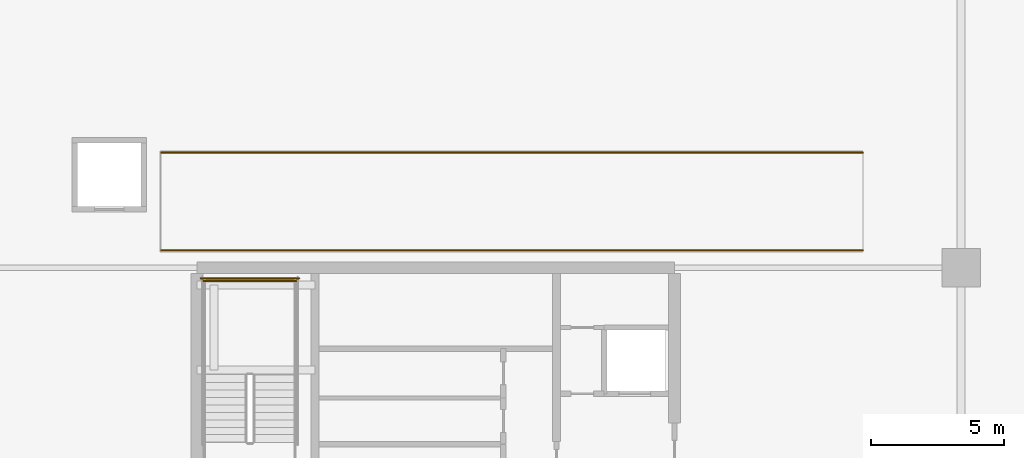
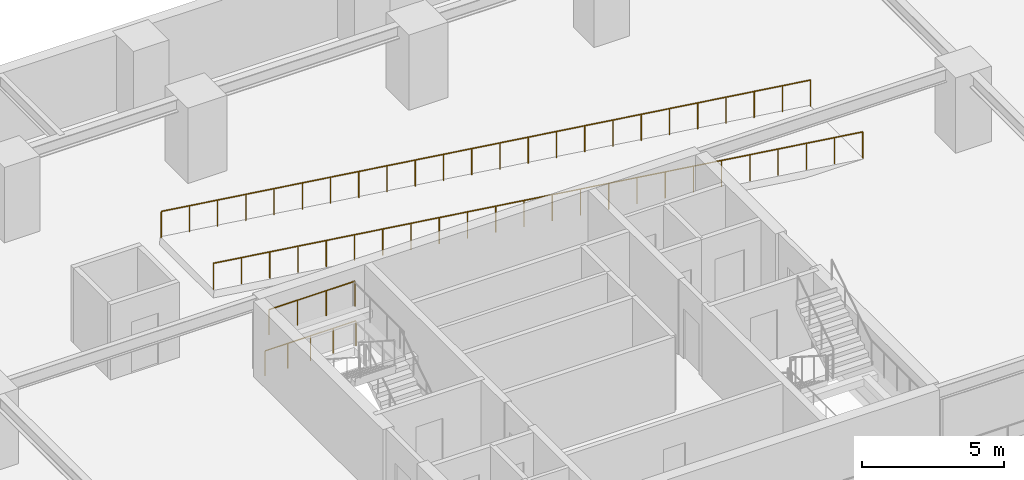
# One storey, part 10 of 10: 4 railings.
"""IFC4 building model written with IfcOpenShell, lengths in metres."""

from ifc_helpers import new_model, si_unit, direction, frame, origin, origin_2d, place, context, subcontext, project, spatial, circle, extrude, material, type_object, element, save


model = new_model("IFC4")

# Units and contexts
model_context = context("Model", 3, precision=1e-05, world=origin(), true_north=direction((0.0, 1.0)))
body_context = subcontext(model_context, "Body", "Model", "MODEL_VIEW")
ifc_project = project(units=[si_unit("LENGTHUNIT", "METRE"), si_unit("AREAUNIT", "SQUARE_METRE"), si_unit("VOLUMEUNIT", "CUBIC_METRE"), si_unit("PLANEANGLEUNIT", "RADIAN"), si_unit("MASSUNIT", "GRAM", prefix="KILO")], contexts=[model_context])

# Site, building, storey
site_placement = place(None, origin())
site = spatial("IfcSite", under=ifc_project, at=site_placement, CompositionType="ELEMENT")
building_placement = place(site_placement, origin())
building = spatial("IfcBuilding", under=site, at=building_placement, Name="Serunith Strait Residences", CompositionType="ELEMENT")
storey_placement = place(building_placement, frame((0.0, 0.0, -7.199951171875)))
storey = spatial("IfcBuildingStorey", under=building, at=storey_placement, Name="B02", CompositionType="ELEMENT", Elevation=-7.199951171875)

# Railings
ifc_material = material(Name="Brushed stainless steel 316L", Category="steel")
railing_type = type_object("IfcRailingType", Name="RLG-STAIR-GUARD", PredefinedType="BALUSTRADE", material=ifc_material)
railing_1_placement = place(storey_placement, frame((27.14990234375, 33.10009765625, 1.800048828125)))
element("IfcRailing", 1, at=railing_1_placement, inside=storey, type_object=railing_type, Name="B02 ST-1 stair guard 5", PredefinedType="BALUSTRADE", context=body_context, shape_type="SweptSolid", body=[
    extrude(circle(Radius=0.02392578125, at=origin_2d()), frame((-0.001953125, 0.0, 1.076171875), z_axis=(-1.0, 0.0, 0.0), x_axis=(0.0, -1.0, 0.0)), (0.0, 0.0, 1.0), 3.49609375),
    extrude(circle(Radius=0.02099609375, at=origin_2d()), origin(), (0.0, 0.0, 1.0), 1.050048828125),
    extrude(circle(Radius=0.02099609375, at=origin_2d()), frame((-1.166748046875, 0.0, 0.0)), (0.0, 0.0, 1.0), 1.050048828125),
    extrude(circle(Radius=0.02099609375, at=origin_2d()), frame((-2.333251953125, 0.0, 0.0)), (0.0, 0.0, 1.0), 1.050048828125),
    extrude(circle(Radius=0.02099609375, at=origin_2d()), frame((-3.5, 0.0, 0.0)), (0.0, 0.0, 1.0), 1.050048828125),
])
railing_2_placement = place(storey_placement, frame((27.25, 33.199951171875, 0.0)))
element("IfcRailing", 2, at=railing_2_placement, inside=storey, type_object=railing_type, Name="B02 ST-1 stair guard 12", PredefinedType="BALUSTRADE", context=body_context, shape_type="SweptSolid", body=[
    extrude(circle(Radius=0.02392578125, at=origin_2d()), frame((-0.001953125, 0.0, 1.076171875), z_axis=(-1.0, 0.0, 0.0), x_axis=(0.0, -1.0, 0.0)), (0.0, 0.0, 1.0), 3.696044921875),
    extrude(circle(Radius=0.02099609375, at=origin_2d()), origin(), (0.0, 0.0, 1.0), 1.050048828125),
    extrude(circle(Radius=0.02099609375, at=origin_2d()), frame((-0.925048828125, 0.0, 0.0)), (0.0, 0.0, 1.0), 1.050048828125),
    extrude(circle(Radius=0.02099609375, at=origin_2d()), frame((-1.85009765625, 0.0, 0.0)), (0.0, 0.0, 1.0), 1.050048828125),
    extrude(circle(Radius=0.02099609375, at=origin_2d()), frame((-2.77490234375, 0.0, 0.0)), (0.0, 0.0, 1.0), 1.050048828125),
    extrude(circle(Radius=0.02099609375, at=origin_2d()), frame((-3.699951171875, 0.0, 0.0)), (0.0, 0.0, 1.0), 1.050048828125),
])
railing_3_placement = place(storey_placement, frame((48.4951171875, 34.260009765625, 0.0)))
element("IfcRailing", 3, at=railing_3_placement, inside=storey, type_object=railing_type, Name="B02 Vehicle Ramp VR-B02-B01 S Safety Balustrade", PredefinedType="BALUSTRADE", context=body_context, shape_type="SweptSolid", body=[
    extrude(circle(Radius=0.02392578125, at=origin_2d()), frame((-0.001953125, 0.0, 1.126220703125), z_axis=(-0.990858373728, 0.0, 0.13490620154), x_axis=(0.0, -1.0, 0.0)), (0.0, 0.0, 1.0), 26.68017578125),
    extrude(circle(Radius=0.02099609375, at=origin_2d()), origin(), (0.0, 0.0, 1.0), 1.099853515625),
    extrude(circle(Radius=0.02099609375, at=origin_2d()), frame((-1.149658203125, 0.0, 0.156494140625)), (0.0, 0.0, 1.0), 1.099853515625),
    extrude(circle(Radius=0.02099609375, at=origin_2d()), frame((-2.299072265625, 0.0, 0.31298828125)), (0.0, 0.0, 1.0), 1.099853515625),
    extrude(circle(Radius=0.02099609375, at=origin_2d()), frame((-3.44873046875, 0.0, 0.469482421875)), (0.0, 0.0, 1.0), 1.099853515625),
    extrude(circle(Radius=0.02099609375, at=origin_2d()), frame((-4.598388671875, 0.0, 0.6259765625)), (0.0, 0.0, 1.0), 1.099853515625),
    extrude(circle(Radius=0.02099609375, at=origin_2d()), frame((-5.747802734375, 0.0, 0.782470703125)), (0.0, 0.0, 1.0), 1.099853515625),
    extrude(circle(Radius=0.02099609375, at=origin_2d()), frame((-6.8974609375, 0.0, 0.939208984375)), (0.0, 0.0, 1.0), 1.099853515625),
    extrude(circle(Radius=0.02099609375, at=origin_2d()), frame((-8.047119140625, 0.0, 1.095703125)), (0.0, 0.0, 1.0), 1.099853515625),
    extrude(circle(Radius=0.02099609375, at=origin_2d()), frame((-9.196533203125, 0.0, 1.252197265625)), (0.0, 0.0, 1.0), 1.099853515625),
    extrude(circle(Radius=0.02099609375, at=origin_2d()), frame((-10.34619140625, 0.0, 1.40869140625)), (0.0, 0.0, 1.0), 1.099853515625),
    extrude(circle(Radius=0.02099609375, at=origin_2d()), frame((-11.495849609375, 0.0, 1.565185546875)), (0.0, 0.0, 1.0), 1.099853515625),
    extrude(circle(Radius=0.02099609375, at=origin_2d()), frame((-12.645263671875, 0.0, 1.7216796875)), (0.0, 0.0, 1.0), 1.099853515625),
    extrude(circle(Radius=0.02099609375, at=origin_2d()), frame((-13.794921875, 0.0, 1.878173828125)), (0.0, 0.0, 1.0), 1.099853515625),
    extrude(circle(Radius=0.02099609375, at=origin_2d()), frame((-14.9443359375, 0.0, 2.03466796875)), (0.0, 0.0, 1.0), 1.099853515625),
    extrude(circle(Radius=0.02099609375, at=origin_2d()), frame((-16.093994140625, 0.0, 2.191162109375)), (0.0, 0.0, 1.0), 1.099853515625),
    extrude(circle(Radius=0.02099609375, at=origin_2d()), frame((-17.24365234375, 0.0, 2.34765625)), (0.0, 0.0, 1.0), 1.099853515625),
    extrude(circle(Radius=0.02099609375, at=origin_2d()), frame((-18.39306640625, 0.0, 2.504150390625)), (0.0, 0.0, 1.0), 1.099853515625),
    extrude(circle(Radius=0.02099609375, at=origin_2d()), frame((-19.542724609375, 0.0, 2.66064453125)), (0.0, 0.0, 1.0), 1.099853515625),
    extrude(circle(Radius=0.02099609375, at=origin_2d()), frame((-20.6923828125, 0.0, 2.8173828125)), (0.0, 0.0, 1.0), 1.099853515625),
    extrude(circle(Radius=0.02099609375, at=origin_2d()), frame((-21.841796875, 0.0, 2.973876953125)), (0.0, 0.0, 1.0), 1.099853515625),
    extrude(circle(Radius=0.02099609375, at=origin_2d()), frame((-22.991455078125, 0.0, 3.13037109375)), (0.0, 0.0, 1.0), 1.099853515625),
    extrude(circle(Radius=0.02099609375, at=origin_2d()), frame((-24.14111328125, 0.0, 3.286865234375)), (0.0, 0.0, 1.0), 1.099853515625),
    extrude(circle(Radius=0.02099609375, at=origin_2d()), frame((-25.29052734375, 0.0, 3.443359375)), (0.0, 0.0, 1.0), 1.099853515625),
    extrude(circle(Radius=0.02099609375, at=origin_2d()), frame((-26.440185546875, 0.0, 3.599853515625)), (0.0, 0.0, 1.0), 1.099853515625),
])
railing_4_placement = place(storey_placement, frame((48.4951171875, 37.93994140625, 0.0)))
element("IfcRailing", 4, at=railing_4_placement, inside=storey, type_object=railing_type, Name="B02 Vehicle Ramp VR-B02-B01 N Safety Balustrade", PredefinedType="BALUSTRADE", context=body_context, shape_type="SweptSolid", body=[
    extrude(circle(Radius=0.02392578125, at=origin_2d()), frame((-0.001953125, 0.0, 1.126220703125), z_axis=(-0.990858373728, 0.0, 0.13490620154), x_axis=(0.0, -1.0, 0.0)), (0.0, 0.0, 1.0), 26.68017578125),
    extrude(circle(Radius=0.02099609375, at=origin_2d()), origin(), (0.0, 0.0, 1.0), 1.099853515625),
    extrude(circle(Radius=0.02099609375, at=origin_2d()), frame((-1.149658203125, 0.0, 0.156494140625)), (0.0, 0.0, 1.0), 1.099853515625),
    extrude(circle(Radius=0.02099609375, at=origin_2d()), frame((-2.299072265625, 0.0, 0.31298828125)), (0.0, 0.0, 1.0), 1.099853515625),
    extrude(circle(Radius=0.02099609375, at=origin_2d()), frame((-3.44873046875, 0.0, 0.469482421875)), (0.0, 0.0, 1.0), 1.099853515625),
    extrude(circle(Radius=0.02099609375, at=origin_2d()), frame((-4.598388671875, 0.0, 0.6259765625)), (0.0, 0.0, 1.0), 1.099853515625),
    extrude(circle(Radius=0.02099609375, at=origin_2d()), frame((-5.747802734375, 0.0, 0.782470703125)), (0.0, 0.0, 1.0), 1.099853515625),
    extrude(circle(Radius=0.02099609375, at=origin_2d()), frame((-6.8974609375, 0.0, 0.939208984375)), (0.0, 0.0, 1.0), 1.099853515625),
    extrude(circle(Radius=0.02099609375, at=origin_2d()), frame((-8.047119140625, 0.0, 1.095703125)), (0.0, 0.0, 1.0), 1.099853515625),
    extrude(circle(Radius=0.02099609375, at=origin_2d()), frame((-9.196533203125, 0.0, 1.252197265625)), (0.0, 0.0, 1.0), 1.099853515625),
    extrude(circle(Radius=0.02099609375, at=origin_2d()), frame((-10.34619140625, 0.0, 1.40869140625)), (0.0, 0.0, 1.0), 1.099853515625),
    extrude(circle(Radius=0.02099609375, at=origin_2d()), frame((-11.495849609375, 0.0, 1.565185546875)), (0.0, 0.0, 1.0), 1.099853515625),
    extrude(circle(Radius=0.02099609375, at=origin_2d()), frame((-12.645263671875, 0.0, 1.7216796875)), (0.0, 0.0, 1.0), 1.099853515625),
    extrude(circle(Radius=0.02099609375, at=origin_2d()), frame((-13.794921875, 0.0, 1.878173828125)), (0.0, 0.0, 1.0), 1.099853515625),
    extrude(circle(Radius=0.02099609375, at=origin_2d()), frame((-14.9443359375, 0.0, 2.03466796875)), (0.0, 0.0, 1.0), 1.099853515625),
    extrude(circle(Radius=0.02099609375, at=origin_2d()), frame((-16.093994140625, 0.0, 2.191162109375)), (0.0, 0.0, 1.0), 1.099853515625),
    extrude(circle(Radius=0.02099609375, at=origin_2d()), frame((-17.24365234375, 0.0, 2.34765625)), (0.0, 0.0, 1.0), 1.099853515625),
    extrude(circle(Radius=0.02099609375, at=origin_2d()), frame((-18.39306640625, 0.0, 2.504150390625)), (0.0, 0.0, 1.0), 1.099853515625),
    extrude(circle(Radius=0.02099609375, at=origin_2d()), frame((-19.542724609375, 0.0, 2.66064453125)), (0.0, 0.0, 1.0), 1.099853515625),
    extrude(circle(Radius=0.02099609375, at=origin_2d()), frame((-20.6923828125, 0.0, 2.8173828125)), (0.0, 0.0, 1.0), 1.099853515625),
    extrude(circle(Radius=0.02099609375, at=origin_2d()), frame((-21.841796875, 0.0, 2.973876953125)), (0.0, 0.0, 1.0), 1.099853515625),
    extrude(circle(Radius=0.02099609375, at=origin_2d()), frame((-22.991455078125, 0.0, 3.13037109375)), (0.0, 0.0, 1.0), 1.099853515625),
    extrude(circle(Radius=0.02099609375, at=origin_2d()), frame((-24.14111328125, 0.0, 3.286865234375)), (0.0, 0.0, 1.0), 1.099853515625),
    extrude(circle(Radius=0.02099609375, at=origin_2d()), frame((-25.29052734375, 0.0, 3.443359375)), (0.0, 0.0, 1.0), 1.099853515625),
    extrude(circle(Radius=0.02099609375, at=origin_2d()), frame((-26.440185546875, 0.0, 3.599853515625)), (0.0, 0.0, 1.0), 1.099853515625),
])

save(model, "model.ifc")
